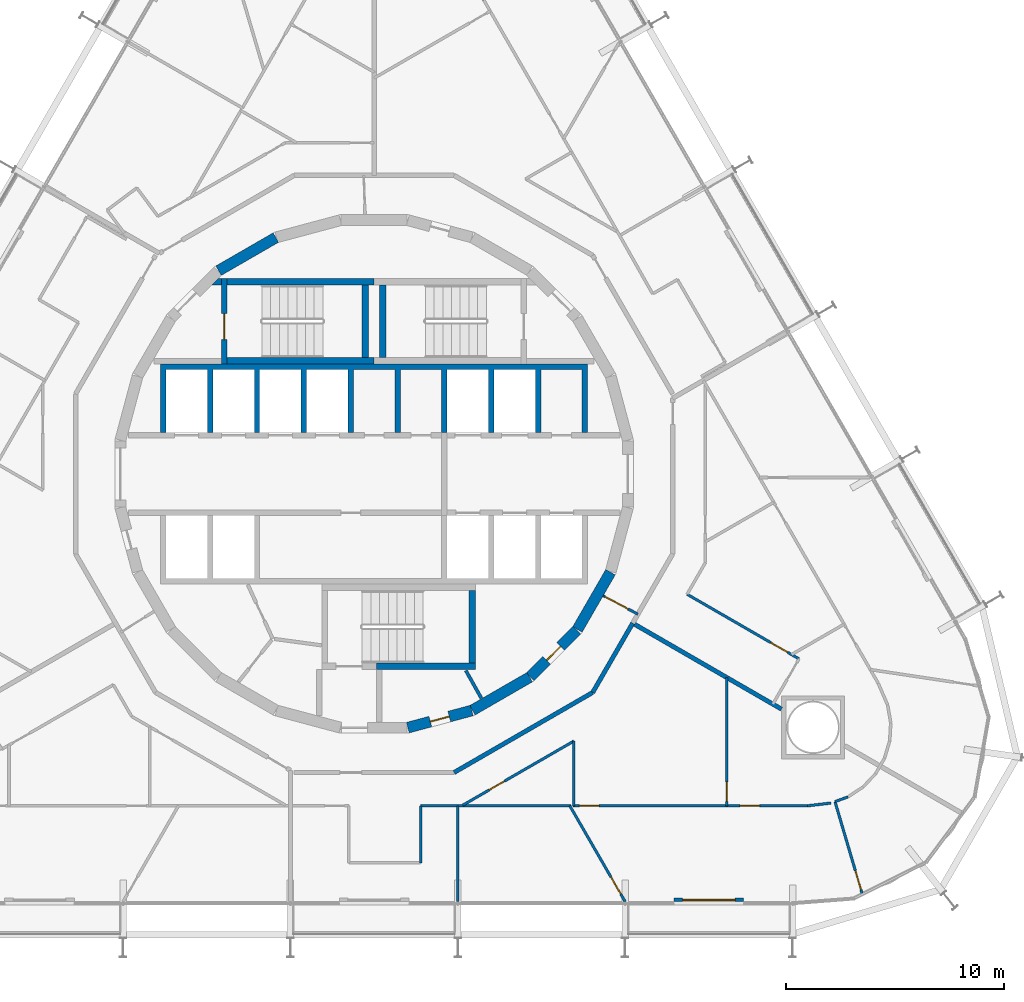
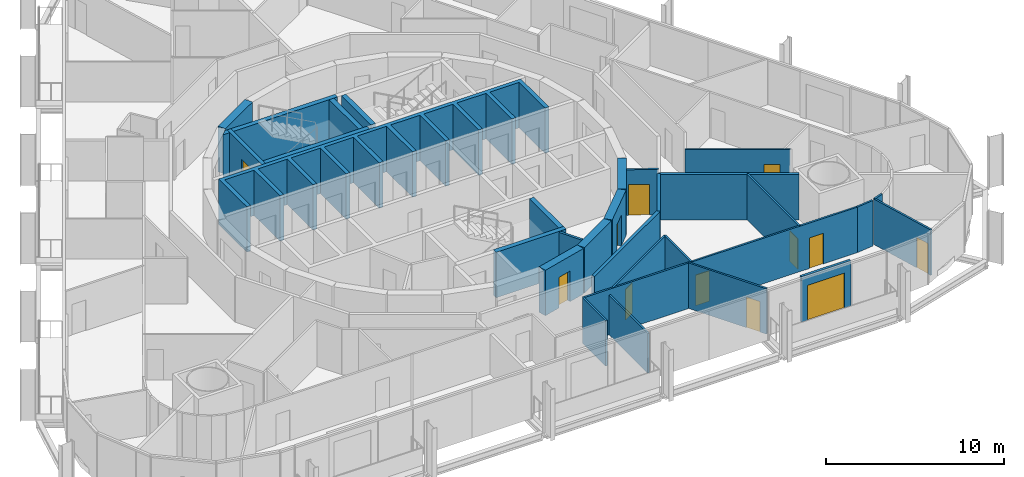
# One storey, part 15 of 20: 32 walls, 12 doors, 12 openings.
"""IFC4 building model written with IfcOpenShell, lengths in metres."""

from ifc_helpers import new_model, si_unit, direction, frame, frame_2d, origin, place, context, subcontext, project, spatial, polyline, rectangle, outline, extrude, material, layer, layer_set, type_object, element, fill, save


model = new_model("IFC4")

# Units and contexts
model_context = context("Model", 3, precision=1e-05, world=origin(), true_north=direction((0.0, 1.0)))
body_context = subcontext(model_context, "Body", "Model", "MODEL_VIEW")
ifc_project = project(units=[si_unit("LENGTHUNIT", "METRE"), si_unit("AREAUNIT", "SQUARE_METRE"), si_unit("VOLUMEUNIT", "CUBIC_METRE"), si_unit("PLANEANGLEUNIT", "RADIAN"), si_unit("MASSUNIT", "GRAM", prefix="KILO")], contexts=[model_context])

# Site, building, storey
site_placement = place(None, origin())
site = spatial("IfcSite", under=ifc_project, at=site_placement, CompositionType="ELEMENT")
building_placement = place(site_placement, origin())
building = spatial("IfcBuilding", under=site, at=building_placement, Name="Spindle Arch Residences", CompositionType="ELEMENT")
storey_placement = place(building_placement, frame((0.0, 0.0, 41.89990234375)))
storey = spatial("IfcBuildingStorey", under=building, at=storey_placement, Name="L08", CompositionType="ELEMENT", Elevation=41.89990234375)

# Wall, opening, door
ifc_material_1 = material(Name="Concrete C50/60", Category="concrete")
ifc_layer_1 = layer(ifc_material_1, 0.5)
ifc_layer_set_1 = layer_set([ifc_layer_1], Name="Core outline wall 500")
wall_type_1 = type_object("IfcWallType", Name="Core outline wall 500", PredefinedType="SHEAR", material=ifc_layer_set_1)
wall_1_placement = place(storey_placement, frame((1.5498046875, -11.642822265625, 0.0), z_axis=(0.0, 0.0, 1.0), x_axis=(0.965948410781, 0.258734743916, 0.0)))
wall_1 = element("IfcWall", 1, at=wall_1_placement, inside=storey, type_object=wall_type_1, Name="Core outline wall 1", PredefinedType="SHEAR", context=body_context, shape_type="SweptSolid", body=[
    extrude(rectangle(XDim=3.03271484375, YDim=0.5, at=frame_2d((1.516357421875, 0.0))), origin(), (0.0, 0.0, 1.0), 3.1201171875),
])
opening_1_placement = place(wall_1_placement, frame((1.06640625, 0.0, 0.0)))
opening_1 = element("IfcOpeningElement", 2, at=opening_1_placement, cuts=wall_1, Name="Opening R1A1-WD08", PredefinedType="OPENING", context=body_context, shape_type="SweptSolid", body=[
    extrude(rectangle(XDim=0.89990234375, YDim=2.10009765625, at=frame_2d((0.449951171875, 1.050048828125))), frame((0.0, 0.260009765625, 0.0), z_axis=(0.0, -1.0, 0.0), x_axis=(1.0, 0.0, 0.0)), (0.0, 0.0, 1.0), 0.52001953125),
])
ifc_material_2 = material(Name="Steel, fire-resisting door", Category="steel")
door_type_1 = type_object("IfcDoorType", Name="Service room door 900x2100", OperationType="SINGLE_SWING_LEFT", PredefinedType="DOOR", material=ifc_material_2)
door_1_placement = place(opening_1_placement, origin())
door_1 = element("IfcDoor", 3, at=door_1_placement, inside=storey, type_object=door_type_1, Name="Service room door R1A1-WD08", OperationType="SINGLE_SWING_LEFT", OverallHeight=2.10009765625, OverallWidth=0.89990234375, PredefinedType="DOOR", context=body_context, shape_type="SweptSolid", body=[
    extrude(rectangle(XDim=0.89990234375, YDim=2.10009765625, at=frame_2d((0.449951171875, 1.050048828125))), frame((0.0, 0.02490234375, 0.0), z_axis=(0.0, -1.0, 0.0), x_axis=(1.0, 0.0, 0.0)), (0.0, 0.0, 1.0), 0.050048828125),
])
fill(opening_1, door_1)

# Wall
wall_2_placement = place(storey_placement, frame((4.510498046875, -10.84521484375, 0.0), z_axis=(0.0, 0.0, 1.0), x_axis=(0.865975092491, 0.500087131594, 0.0)))
element("IfcWall", 4, at=wall_2_placement, inside=storey, type_object=wall_type_1, Name="Core outline wall 2", PredefinedType="SHEAR", context=body_context, shape_type="SweptSolid", body=[
    extrude(rectangle(XDim=3.03271484375, YDim=0.5, at=frame_2d((1.516357421875, 0.0))), origin(), (0.0, 0.0, 1.0), 3.1201171875),
])

# Wall, opening, door
wall_3_placement = place(storey_placement, frame((7.163818359375, -9.30810546875, 0.0), z_axis=(0.0, 0.0, 1.0), x_axis=(0.707106781187, 0.707106781187, 0.0)))
wall_3 = element("IfcWall", 5, at=wall_3_placement, inside=storey, type_object=wall_type_1, Name="Core outline wall 3", PredefinedType="SHEAR", context=body_context, shape_type="SweptSolid", body=[
    extrude(rectangle(XDim=3.032470703125, YDim=0.5, at=frame_2d((1.51611328125, 0.0))), origin(), (0.0, 0.0, 1.0), 3.1201171875),
])
opening_2_placement = place(wall_3_placement, frame((1.06640625, 0.0, 0.0)))
opening_2 = element("IfcOpeningElement", 6, at=opening_2_placement, cuts=wall_3, Name="Opening R1A1-WD07", PredefinedType="OPENING", context=body_context, shape_type="SweptSolid", body=[
    extrude(rectangle(XDim=0.89990234375, YDim=2.10009765625, at=frame_2d((0.449951171875, 1.050048828125))), frame((0.0, 0.260009765625, 0.0), z_axis=(0.0, -1.0, 0.0), x_axis=(1.0, 0.0, 0.0)), (0.0, 0.0, 1.0), 0.52001953125),
])
door_2_placement = place(opening_2_placement, origin())
door_2 = element("IfcDoor", 7, at=door_2_placement, inside=storey, type_object=door_type_1, Name="Service room door R1A1-WD07", OperationType="SINGLE_SWING_RIGHT", OverallHeight=2.10009765625, OverallWidth=0.89990234375, PredefinedType="DOOR", context=body_context, shape_type="SweptSolid", body=[
    extrude(rectangle(XDim=0.89990234375, YDim=2.10009765625, at=frame_2d((0.449951171875, 1.050048828125))), frame((0.0, 0.02490234375, 0.0), z_axis=(0.0, -1.0, 0.0), x_axis=(1.0, 0.0, 0.0)), (0.0, 0.0, 1.0), 0.050048828125),
])
fill(opening_2, door_2)

# Walls
for number, where, z_axis, x_axis, name in (
    (8, (9.32861328125, -7.13671875, 0.0), (0.0, 0.0, 1.0), (0.500087131594, 0.865975092491, 0.0), "Core outline wall 4"),
    (9, (-4.510498046875, 10.84521484375, 0.0), (0.0, 0.0, 1.0), (-0.865975092491, -0.500087131594, 0.0), "Core outline wall 14"),
):
    element("IfcWall", number, at=place(storey_placement, frame(where, z_axis=z_axis, x_axis=x_axis)), inside=storey, type_object=wall_type_1, Name=name, PredefinedType="SHEAR", context=body_context, shape_type="SweptSolid", body=[
        extrude(rectangle(XDim=3.03271484375, YDim=0.5, at=frame_2d((1.516357421875, 0.0))), origin(), (0.0, 0.0, 1.0), 3.1201171875),
    ])

# Wall, opening, door
ifc_material_3 = material(Name="Plasterboard on steel studs", Category="steel")
ifc_layer_2 = layer(ifc_material_3, 0.1201171875)
ifc_layer_set_2 = layer_set([ifc_layer_2], Name="Corridor division wall 120")
wall_type_2 = type_object("IfcWallType", Name="Corridor division wall 120", PredefinedType="PARTITIONING", material=ifc_layer_set_2)
wall_4_placement = place(storey_placement, frame((10.510986328125, -5.5888671875, 0.0), z_axis=(0.0, 0.0, 1.0), x_axis=(0.88294043061, -0.469485032769, 0.0)))
wall_4 = element("IfcWall", 10, at=wall_4_placement, inside=storey, type_object=wall_type_2, Name="Corridor division wall R1A1-W002", PredefinedType="PARTITIONING", context=body_context, shape_type="SweptSolid", body=[
    extrude(rectangle(XDim=1.803955078125, YDim=0.1201171875, at=frame_2d((0.90185546875, 0.0))), origin(), (0.0, 0.0, 1.0), 3.1201171875),
])
opening_3_placement = place(wall_4_placement, frame((0.10009765625, 0.0, 0.0)))
opening_3 = element("IfcOpeningElement", 11, at=opening_3_placement, cuts=wall_4, Name="Opening R1A1-CD02", PredefinedType="OPENING", context=body_context, shape_type="SweptSolid", body=[
    extrude(rectangle(XDim=1.199951171875, YDim=2.10009765625, at=frame_2d((0.60009765625, 1.050048828125))), frame((0.0, 0.070068359375, 0.0), z_axis=(0.0, -1.0, 0.0), x_axis=(1.0, 0.0, 0.0)), (0.0, 0.0, 1.0), 0.14013671875),
])
ifc_material_4 = material(Name="Steel, fire-resisting door", Category="steel")
door_type_2 = type_object("IfcDoorType", Name="Corridor division door 1200x2100", OperationType="NOTDEFINED", PredefinedType="DOOR", material=ifc_material_4)
door_3_placement = place(opening_3_placement, origin())
door_3 = element("IfcDoor", 12, at=door_3_placement, inside=storey, type_object=door_type_2, Name="Corridor division door R1A1-CD02", OperationType="DOUBLE_DOOR_SINGLE_SWING", OverallHeight=2.10009765625, OverallWidth=1.199951171875, PredefinedType="DOOR", context=body_context, shape_type="SweptSolid", body=[
    extrude(rectangle(XDim=1.199951171875, YDim=2.10009765625, at=frame_2d((0.60009765625, 1.050048828125))), frame((0.0, 0.02490234375, 0.0), z_axis=(0.0, -1.0, 0.0), x_axis=(1.0, 0.0, 0.0)), (0.0, 0.0, 1.0), 0.050048828125),
])
fill(opening_3, door_3)

# Walls
ifc_material_5 = material(Name="Calcium silicate block, plastered")
ifc_layer_3 = layer(ifc_material_5, 0.199951171875)
ifc_layer_set_3 = layer_set([ifc_layer_3], Name="Corridor wall 200")
wall_type_3 = type_object("IfcWallType", Name="Corridor wall 200", PredefinedType="STANDARD", material=ifc_layer_set_3)
wall_5_placement = place(storey_placement, frame((3.6708984375, -13.699951171875, 0.0), z_axis=(0.0, 0.0, 1.0), x_axis=(0.866024439905, 0.500001669485, 0.0)))
element("IfcWall", 13, at=wall_5_placement, inside=storey, type_object=wall_type_3, Name="Corridor wall R1A1-W015", PredefinedType="STANDARD", context=body_context, shape_type="SweptSolid", body=[
    extrude(rectangle(XDim=7.341796875, YDim=0.199951171875, at=frame_2d((3.6708984375, 0.0))), origin(), (0.0, 0.0, 1.0), 3.1201171875),
])
wall_6_placement = place(storey_placement, frame((10.029052734375, -10.029052734375, 0.0), z_axis=(0.0, 0.0, 1.0), x_axis=(0.50001606911, 0.866016126081, 0.0)))
element("IfcWall", 14, at=wall_6_placement, inside=storey, type_object=wall_type_3, Name="Corridor wall R1A1-W016", PredefinedType="STANDARD", context=body_context, shape_type="SweptSolid", body=[
    extrude(rectangle(XDim=3.6708984375, YDim=0.199951171875, at=frame_2d((1.83544921875, 0.0))), origin(), (0.0, 0.0, 1.0), 3.1201171875),
])
ifc_material_6 = material(Name="Plasterboard on steel studs", Category="steel")
ifc_layer_4 = layer(ifc_material_6, 0.1201171875)
ifc_layer_set_4 = layer_set([ifc_layer_4], Name="Flat partition 120")
wall_type_4 = type_object("IfcWallType", Name="Flat partition 120", PredefinedType="PARTITIONING", material=ifc_layer_set_4)
wall_7_placement = place(storey_placement, frame((2.138671875, -17.844970703125, 0.0), z_axis=(0.0, 0.0, 1.0), x_axis=(0.0, 1.0, 0.0)))
element("IfcWall", 15, at=wall_7_placement, inside=storey, type_object=wall_type_4, Name="Flat partition R1A1-W087", PredefinedType="PARTITIONING", context=body_context, shape_type="SweptSolid", body=[
    extrude(rectangle(XDim=2.614990234375, YDim=0.1201171875, at=frame_2d((1.3076171875, 0.0))), origin(), (0.0, 0.0, 1.0), 3.1201171875),
])
wall_8_placement = place(storey_placement, frame((2.138671875, -15.22998046875, 0.0), z_axis=(0.0, 0.0, 1.0), x_axis=(1.0, 0.0, 0.0)))
element("IfcWall", 16, at=wall_8_placement, inside=storey, type_object=wall_type_4, Name="Flat partition R1A1-W088", PredefinedType="PARTITIONING", context=body_context, shape_type="SweptSolid", body=[
    extrude(rectangle(XDim=6.88720703125, YDim=0.1201171875, at=frame_2d((3.443603515625, 0.0))), origin(), (0.0, 0.0, 1.0), 3.1201171875),
])

# Wall, opening, door
wall_9_placement = place(storey_placement, frame((4.07275390625, -15.199951171875, 0.0), z_axis=(0.0, 0.0, 1.0), x_axis=(0.866034128446, 0.499984888139, 0.0)))
wall_9 = element("IfcWall", 17, at=wall_9_placement, inside=storey, type_object=wall_type_4, Name="Flat partition R1A1-W089", PredefinedType="PARTITIONING", context=body_context, shape_type="SweptSolid", body=[
    extrude(rectangle(XDim=5.878662109375, YDim=0.1201171875, at=frame_2d((2.939453125, 0.0))), origin(), (0.0, 0.0, 1.0), 3.1201171875),
])
opening_4_placement = place(wall_9_placement, frame((1.39990234375, 0.0, 0.0)))
opening_4 = element("IfcOpeningElement", 18, at=opening_4_placement, cuts=wall_9, Name="Opening R1A1-BD06", PredefinedType="OPENING", context=body_context, shape_type="SweptSolid", body=[
    extrude(rectangle(XDim=0.800048828125, YDim=2.10009765625, at=frame_2d((0.39990234375, 1.050048828125))), frame((0.0, 0.070068359375, 0.0), z_axis=(0.0, -1.0, 0.0), x_axis=(1.0, 0.0, 0.0)), (0.0, 0.0, 1.0), 0.14013671875),
])
ifc_material_7 = material(Name="Timber door set", Category="wood")
door_type_3 = type_object("IfcDoorType", Name="Bathroom door 800x2100", OperationType="NOTDEFINED", PredefinedType="DOOR", material=ifc_material_7)
door_4_placement = place(opening_4_placement, origin())
door_4 = element("IfcDoor", 19, at=door_4_placement, inside=storey, type_object=door_type_3, Name="Bathroom door R1A1-BD06", OperationType="SINGLE_SWING_RIGHT", OverallHeight=2.10009765625, OverallWidth=0.800048828125, PredefinedType="DOOR", context=body_context, shape_type="SweptSolid", body=[
    extrude(rectangle(XDim=0.800048828125, YDim=2.10009765625, at=frame_2d((0.39990234375, 1.050048828125))), frame((0.0, 0.02490234375, 0.0), z_axis=(0.0, -1.0, 0.0), x_axis=(1.0, 0.0, 0.0)), (0.0, 0.0, 1.0), 0.050048828125),
])
fill(opening_4, door_4)

# Wall
wall_10_placement = place(storey_placement, frame((9.163818359375, -12.2607421875, 0.0), z_axis=(0.0, 0.0, 1.0), x_axis=(0.0, -1.0, 0.0)))
element("IfcWall", 20, at=wall_10_placement, inside=storey, type_object=wall_type_4, Name="Flat partition R1A1-W090", PredefinedType="PARTITIONING", context=body_context, shape_type="SweptSolid", body=[
    extrude(rectangle(XDim=2.96923828125, YDim=0.1201171875, at=frame_2d((1.484619140625, 0.0))), origin(), (0.0, 0.0, 1.0), 3.1201171875),
])

# Wall, openings, doors
wall_11_placement = place(storey_placement, frame((9.123779296875, -15.22998046875, 0.0), z_axis=(0.0, 0.0, 1.0), x_axis=(1.0, 0.0, 0.0)))
wall_11 = element("IfcWall", 21, at=wall_11_placement, inside=storey, type_object=wall_type_4, Name="Flat partition R1A1-W091", PredefinedType="PARTITIONING", context=body_context, shape_type="SweptSolid", body=[
    extrude(rectangle(XDim=10.763671875, YDim=0.1201171875, at=frame_2d((5.3818359375, 0.0))), origin(), (0.0, 0.0, 1.0), 3.1201171875),
])
opening_5_placement = place(wall_11_placement, frame((0.300048828125, 0.0, 0.0)))
opening_5 = element("IfcOpeningElement", 22, at=opening_5_placement, cuts=wall_11, Name="Opening R1A1-ID25", PredefinedType="OPENING", context=body_context, shape_type="SweptSolid", body=[
    extrude(rectangle(XDim=0.89990234375, YDim=2.10009765625, at=frame_2d((0.449951171875, 1.050048828125))), frame((0.0, 0.070068359375, 0.0), z_axis=(0.0, -1.0, 0.0), x_axis=(1.0, 0.0, 0.0)), (0.0, 0.0, 1.0), 0.14013671875),
])
opening_6_placement = place(wall_11_placement, frame((7.665283203125, 0.0, 0.0)))
opening_6 = element("IfcOpeningElement", 23, at=opening_6_placement, cuts=wall_11, Name="Opening R1A1-ID29", PredefinedType="OPENING", context=body_context, shape_type="SweptSolid", body=[
    extrude(rectangle(XDim=0.89990234375, YDim=2.10009765625, at=frame_2d((0.449951171875, 1.050048828125))), frame((0.0, 0.070068359375, 0.0), z_axis=(0.0, -1.0, 0.0), x_axis=(1.0, 0.0, 0.0)), (0.0, 0.0, 1.0), 0.14013671875),
])
ifc_material_8 = material(Name="Timber door set", Category="wood")
door_type_4 = type_object("IfcDoorType", Name="Room door 900x2100", OperationType="NOTDEFINED", PredefinedType="DOOR", material=ifc_material_8)
door_5_placement = place(opening_5_placement, origin())
door_5 = element("IfcDoor", 24, at=door_5_placement, inside=storey, type_object=door_type_4, Name="Room door R1A1-ID25", OperationType="SINGLE_SWING_RIGHT", OverallHeight=2.10009765625, OverallWidth=0.89990234375, PredefinedType="DOOR", context=body_context, shape_type="SweptSolid", body=[
    extrude(rectangle(XDim=0.89990234375, YDim=2.10009765625, at=frame_2d((0.449951171875, 1.050048828125))), frame((0.0, 0.02490234375, 0.0), z_axis=(0.0, -1.0, 0.0), x_axis=(1.0, 0.0, 0.0)), (0.0, 0.0, 1.0), 0.050048828125),
])
fill(opening_5, door_5)
door_6_placement = place(opening_6_placement, origin())
door_6 = element("IfcDoor", 25, at=door_6_placement, inside=storey, type_object=door_type_4, Name="Room door R1A1-ID29", OperationType="SINGLE_SWING_LEFT", OverallHeight=2.10009765625, OverallWidth=0.89990234375, PredefinedType="DOOR", context=body_context, shape_type="SweptSolid", body=[
    extrude(rectangle(XDim=0.89990234375, YDim=2.10009765625, at=frame_2d((0.449951171875, 1.050048828125))), frame((0.0, 0.02490234375, 0.0), z_axis=(0.0, -1.0, 0.0), x_axis=(1.0, 0.0, 0.0)), (0.0, 0.0, 1.0), 0.050048828125),
])
fill(opening_6, door_6)

# Wall, opening, door
wall_12_placement = place(storey_placement, frame((16.189208984375, -15.22998046875, 0.0), z_axis=(0.0, 0.0, 1.0), x_axis=(0.0, 1.0, 0.0)))
wall_12 = element("IfcWall", 26, at=wall_12_placement, inside=storey, type_object=wall_type_4, Name="Flat partition R1A1-W092", PredefinedType="PARTITIONING", context=body_context, shape_type="SweptSolid", body=[
    extrude(rectangle(XDim=5.88330078125, YDim=0.1201171875, at=frame_2d((2.941650390625, 0.0))), origin(), (0.0, 0.0, 1.0), 3.1201171875),
])
opening_7_placement = place(wall_12_placement, frame((0.199951171875, 0.0, 0.0)))
opening_7 = element("IfcOpeningElement", 27, at=opening_7_placement, cuts=wall_12, Name="Opening R1A1-ID26", PredefinedType="OPENING", context=body_context, shape_type="SweptSolid", body=[
    extrude(rectangle(XDim=0.89990234375, YDim=2.10009765625, at=frame_2d((0.449951171875, 1.050048828125))), frame((0.0, 0.070068359375, 0.0), z_axis=(0.0, -1.0, 0.0), x_axis=(1.0, 0.0, 0.0)), (0.0, 0.0, 1.0), 0.14013671875),
])
door_7_placement = place(opening_7_placement, origin())
door_7 = element("IfcDoor", 28, at=door_7_placement, inside=storey, type_object=door_type_4, Name="Room door R1A1-ID26", OperationType="SINGLE_SWING_RIGHT", OverallHeight=2.10009765625, OverallWidth=0.89990234375, PredefinedType="DOOR", context=body_context, shape_type="SweptSolid", body=[
    extrude(rectangle(XDim=0.89990234375, YDim=2.10009765625, at=frame_2d((0.449951171875, 1.050048828125))), frame((0.0, 0.02490234375, 0.0), z_axis=(0.0, -1.0, 0.0), x_axis=(1.0, 0.0, 0.0)), (0.0, 0.0, 1.0), 0.050048828125),
])
fill(opening_7, door_7)

wall_13_placement = place(storey_placement, frame((11.52001953125, -19.6298828125, 0.0), z_axis=(0.0, 0.0, 1.0), x_axis=(-0.499999763888, 0.866025540104, 0.0)))
wall_13 = element("IfcWall", 29, at=wall_13_placement, inside=storey, type_object=wall_type_4, Name="Flat partition R1A1-W094", PredefinedType="PARTITIONING", context=body_context, shape_type="SweptSolid", body=[
    extrude(rectangle(XDim=5.08056640625, YDim=0.1201171875, at=frame_2d((2.540283203125, 0.0))), origin(), (0.0, 0.0, 1.0), 3.1201171875),
])
opening_8_placement = place(wall_13_placement, frame((0.39990234375, 0.0, 0.0)))
opening_8 = element("IfcOpeningElement", 30, at=opening_8_placement, cuts=wall_13, Name="Opening R1A1-ID27", PredefinedType="OPENING", context=body_context, shape_type="SweptSolid", body=[
    extrude(rectangle(XDim=0.89990234375, YDim=2.10009765625, at=frame_2d((0.449951171875, 1.050048828125))), frame((0.0, 0.070068359375, 0.0), z_axis=(0.0, -1.0, 0.0), x_axis=(1.0, 0.0, 0.0)), (0.0, 0.0, 1.0), 0.14013671875),
])
door_8_placement = place(opening_8_placement, origin())
door_8 = element("IfcDoor", 31, at=door_8_placement, inside=storey, type_object=door_type_4, Name="Room door R1A1-ID27", OperationType="SINGLE_SWING_LEFT", OverallHeight=2.10009765625, OverallWidth=0.89990234375, PredefinedType="DOOR", context=body_context, shape_type="SweptSolid", body=[
    extrude(rectangle(XDim=0.89990234375, YDim=2.10009765625, at=frame_2d((0.449951171875, 1.050048828125))), frame((0.0, 0.02490234375, 0.0), z_axis=(0.0, -1.0, 0.0), x_axis=(1.0, 0.0, 0.0)), (0.0, 0.0, 1.0), 0.050048828125),
])
fill(opening_8, door_8)

# Wall
wall_14_placement = place(storey_placement, frame((20.966796875, -15.103759765625, 0.0), z_axis=(0.0, 0.0, 1.0), x_axis=(-0.993231641151, -0.116150363826, 0.0)))
element("IfcWall", 32, at=wall_14_placement, inside=storey, type_object=wall_type_4, Name="Flat partition R1A1-W095", PredefinedType="PARTITIONING", context=body_context, shape_type="SweptSolid", body=[
    extrude(rectangle(XDim=1.086669921875, YDim=0.1201171875, at=frame_2d((0.54345703125, 0.0))), origin(), (0.0, 0.0, 1.0), 3.1201171875),
])

# Wall, opening, door
wall_15_placement = place(storey_placement, frame((22.395751953125, -19.26611328125, 0.0), z_axis=(0.0, 0.0, 1.0), x_axis=(-0.282873823334, 0.959157130022, 0.0)))
wall_15 = element("IfcWall", 33, at=wall_15_placement, inside=storey, type_object=wall_type_4, Name="Flat partition R1A1-W096", PredefinedType="PARTITIONING", context=body_context, shape_type="SweptSolid", body=[
    extrude(rectangle(XDim=4.40869140625, YDim=0.1201171875, at=frame_2d((2.204345703125, 0.0))), origin(), (0.0, 0.0, 1.0), 3.1201171875),
])
opening_9_placement = place(wall_15_placement, frame((0.199951171875, 0.0, 0.0)))
opening_9 = element("IfcOpeningElement", 34, at=opening_9_placement, cuts=wall_15, Name="Opening R1A1-ID28", PredefinedType="OPENING", context=body_context, shape_type="SweptSolid", body=[
    extrude(rectangle(XDim=0.89990234375, YDim=2.10009765625, at=frame_2d((0.449951171875, 1.050048828125))), frame((0.0, 0.070068359375, 0.0), z_axis=(0.0, -1.0, 0.0), x_axis=(1.0, 0.0, 0.0)), (0.0, 0.0, 1.0), 0.14013671875),
])
door_9_placement = place(opening_9_placement, origin())
door_9 = element("IfcDoor", 35, at=door_9_placement, inside=storey, type_object=door_type_4, Name="Room door R1A1-ID28", OperationType="SINGLE_SWING_RIGHT", OverallHeight=2.10009765625, OverallWidth=0.89990234375, PredefinedType="DOOR", context=body_context, shape_type="SweptSolid", body=[
    extrude(rectangle(XDim=0.89990234375, YDim=2.10009765625, at=frame_2d((0.449951171875, 1.050048828125))), frame((0.0, 0.02490234375, 0.0), z_axis=(0.0, -1.0, 0.0), x_axis=(1.0, 0.0, 0.0)), (0.0, 0.0, 1.0), 0.050048828125),
])
fill(opening_9, door_9)

# Wall
wall_16_placement = place(storey_placement, frame((21.148681640625, -15.03759765625, 0.0), z_axis=(0.0, 0.0, 1.0), x_axis=(0.939726102094, 0.341928140173, 0.0)))
element("IfcWall", 36, at=wall_16_placement, inside=storey, type_object=wall_type_4, Name="Flat partition R1A1-W097", PredefinedType="PARTITIONING", context=body_context, shape_type="SweptSolid", body=[
    extrude(rectangle(XDim=0.635498046875, YDim=0.1201171875, at=frame_2d((0.31787109375, 0.0))), origin(), (0.0, 0.0, 1.0), 3.1201171875),
])

# Wall, opening, door
wall_17_placement = place(storey_placement, frame((19.49658203125, -8.4873046875, 0.0), z_axis=(0.0, 0.0, 1.0), x_axis=(-0.866027165828, 0.499996948039, 0.0)))
wall_17 = element("IfcWall", 37, at=wall_17_placement, inside=storey, type_object=wall_type_4, Name="Flat partition R1A1-W102", PredefinedType="PARTITIONING", context=body_context, shape_type="SweptSolid", body=[
    extrude(rectangle(XDim=5.92822265625, YDim=0.1201171875, at=frame_2d((2.964111328125, 0.0))), origin(), (0.0, 0.0, 1.0), 3.1201171875),
])
opening_10_placement = place(wall_17_placement, frame((0.59521484375, 0.0, 0.0)))
opening_10 = element("IfcOpeningElement", 38, at=opening_10_placement, cuts=wall_17, Name="Opening R1A1-ID31", PredefinedType="OPENING", context=body_context, shape_type="SweptSolid", body=[
    extrude(rectangle(XDim=0.89990234375, YDim=2.10009765625, at=frame_2d((0.449951171875, 1.050048828125))), frame((0.0, 0.070068359375, 0.0), z_axis=(0.0, -1.0, 0.0), x_axis=(1.0, 0.0, 0.0)), (0.0, 0.0, 1.0), 0.14013671875),
])
door_10_placement = place(opening_10_placement, origin())
door_10 = element("IfcDoor", 39, at=door_10_placement, inside=storey, type_object=door_type_4, Name="Room door R1A1-ID31", OperationType="SINGLE_SWING_LEFT", OverallHeight=2.10009765625, OverallWidth=0.89990234375, PredefinedType="DOOR", context=body_context, shape_type="SweptSolid", body=[
    extrude(rectangle(XDim=0.89990234375, YDim=2.10009765625, at=frame_2d((0.449951171875, 1.050048828125))), frame((0.0, 0.02490234375, 0.0), z_axis=(0.0, -1.0, 0.0), x_axis=(1.0, 0.0, 0.0)), (0.0, 0.0, 1.0), 0.050048828125),
])
fill(opening_10, door_10)

# Walls
ifc_material_9 = material(Name="Plasterboard on steel studs", Category="steel")
ifc_layer_5 = layer(ifc_material_9, 0.1201171875)
ifc_layer_set_5 = layer_set([ifc_layer_5], Name="Flat partition 120 under beam 2730")
wall_type_5 = type_object("IfcWallType", Name="Flat partition 120 under beam 2730", PredefinedType="PARTITIONING", material=ifc_layer_set_5)
wall_18_placement = place(storey_placement, frame((3.840087890625, -19.6298828125, 0.0), z_axis=(0.0, 0.0, 1.0), x_axis=(0.0, 1.0, 0.0)))
element("IfcWall", 40, at=wall_18_placement, inside=storey, type_object=wall_type_5, Name="Flat partition R1A1-W093", PredefinedType="PARTITIONING", context=body_context, shape_type="SweptSolid", body=[
    extrude(rectangle(XDim=4.39990234375, YDim=0.1201171875, at=frame_2d((2.199951171875, 0.0))), origin(), (0.0, 0.0, 1.0), 2.72998046875),
])
ifc_material_10 = material(Name="Calcium silicate block, plastered")
ifc_layer_6 = layer(ifc_material_10, 0.199951171875)
ifc_layer_set_6 = layer_set([ifc_layer_6], Name="Flat party wall 200")
wall_type_6 = type_object("IfcWallType", Name="Flat party wall 200", PredefinedType="STANDARD", material=ifc_layer_set_6)
wall_19_placement = place(storey_placement, frame((18.693603515625, -10.792724609375, 0.0), z_axis=(0.0, 0.0, 1.0), x_axis=(-0.865964895271, 0.500104789178, 0.0)))
element("IfcWall", 41, at=wall_19_placement, inside=storey, type_object=wall_type_6, Name="Flat party wall R1A1-W025", PredefinedType="STANDARD", context=body_context, shape_type="SweptSolid", body=[
    extrude(rectangle(XDim=7.885498046875, YDim=0.199951171875, at=frame_2d((3.94287109375, 0.0))), origin(), (0.0, 0.0, 1.0), 3.1201171875),
])

# Wall, opening, door
ifc_material_11 = material(Name="Non-combustible mineral wool insulated aluminium faced external wall (K0)", Category="aluminium")
ifc_layer_7 = layer(ifc_material_11, 0.159912109375)
ifc_layer_set_7 = layer_set([ifc_layer_7], Name="Insulated external wall panel 160")
wall_type_7 = type_object("IfcWallType", Name="Insulated external wall panel 160", PredefinedType="STANDARD", material=ifc_layer_set_7)
wall_20_placement = place(storey_placement, frame((13.76025390625, -19.5498046875, 0.0), z_axis=(0.0, 0.0, 1.0), x_axis=(1.0, 0.0, 0.0)))
wall_20 = element("IfcWall", 42, at=wall_20_placement, inside=storey, type_object=wall_type_7, Name="External wall L08 bay 2", PredefinedType="STANDARD", context=body_context, shape_type="SweptSolid", body=[
    extrude(rectangle(XDim=3.199951171875, YDim=0.159912109375, at=frame_2d((1.60009765625, 0.0))), origin(), (0.0, 0.0, 1.0), 3.1201171875),
])
opening_11_placement = place(wall_20_placement, frame((0.39990234375, 0.0, 0.0)))
opening_11 = element("IfcOpeningElement", 43, at=opening_11_placement, cuts=wall_20, Name="Opening BD02", PredefinedType="OPENING", context=body_context, shape_type="SweptSolid", body=[
    extrude(rectangle(XDim=2.39990234375, YDim=2.39990234375, at=frame_2d((1.199951171875, 1.199951171875))), frame((0.0, 0.08984375, 0.0), z_axis=(0.0, -1.0, 0.0), x_axis=(1.0, 0.0, 0.0)), (0.0, 0.0, 1.0), 0.179931640625),
])
ifc_material_12 = material(Name="Bronze aluminium frame, tinted double glazing", Category="aluminium")
door_type_5 = type_object("IfcDoorType", Name="Sliding glazed balcony door 2400x2400", OperationType="DOUBLE_DOOR_SLIDING", PredefinedType="DOOR", material=ifc_material_12)
door_11_placement = place(opening_11_placement, origin())
door_11 = element("IfcDoor", 44, at=door_11_placement, inside=storey, type_object=door_type_5, Name="Balcony door BD02", OperationType="DOUBLE_DOOR_SLIDING", OverallHeight=2.39990234375, OverallWidth=2.39990234375, PredefinedType="DOOR", context=body_context, shape_type="SweptSolid", body=[
    extrude(rectangle(XDim=2.39990234375, YDim=2.39990234375, at=frame_2d((1.199951171875, 1.199951171875))), frame((0.0, 0.02490234375, 0.0), z_axis=(0.0, -1.0, 0.0), x_axis=(1.0, 0.0, 0.0)), (0.0, 0.0, 1.0), 0.050048828125),
])
fill(opening_11, door_11)

# Walls
ifc_material_13 = material(Name="Concrete C50/60", Category="concrete")
wall_type_8 = type_object("IfcWallType", Name="Lift shaft wall profile", PredefinedType="SHEAR", material=ifc_material_13)
wall_21_placement = place(storey_placement, origin())
element("IfcWall", 45, at=wall_21_placement, inside=storey, type_object=wall_type_8, Name="Lift shaft walls N", PredefinedType="SHEAR", context=body_context, shape_type="SweptSolid", body=[
    extrude(outline(polyline([(-9.550048828125, 4.800048828125), (-7.64990234375, 4.800048828125), (-7.64990234375, 1.89990234375), (-7.39990234375, 1.89990234375), (-7.39990234375, 4.800048828125), (-5.5, 4.800048828125), (-5.5, 1.89990234375), (-5.25, 1.89990234375), (-5.25, 4.800048828125), (-3.35009765625, 4.800048828125), (-3.35009765625, 1.89990234375), (-3.10009765625, 1.89990234375), (-3.10009765625, 4.800048828125), (-1.199951171875, 4.800048828125), (-1.199951171875, 1.89990234375), (-0.949951171875, 1.89990234375), (-0.949951171875, 4.800048828125), (0.949951171875, 4.800048828125), (0.949951171875, 1.89990234375), (1.199951171875, 1.89990234375), (1.199951171875, 4.800048828125), (3.10009765625, 4.800048828125), (3.10009765625, 1.89990234375), (3.35009765625, 1.89990234375), (3.35009765625, 4.800048828125), (5.25, 4.800048828125), (5.25, 1.89990234375), (5.5, 1.89990234375), (5.5, 4.800048828125), (7.39990234375, 4.800048828125), (7.39990234375, 1.89990234375), (7.64990234375, 1.89990234375), (7.64990234375, 4.800048828125), (9.550048828125, 4.800048828125), (9.550048828125, 1.89990234375), (9.800048828125, 1.89990234375), (9.800048828125, 4.800048828125), (9.800048828125, 5.050048828125), (-9.800048828125, 5.050048828125), (-9.800048828125, 4.800048828125), (-9.800048828125, 1.89990234375), (-9.550048828125, 1.89990234375), (-9.550048828125, 4.800048828125)])), origin(), (0.0, 0.0, 1.0), 3.1201171875),
])
ifc_material_14 = material(Name="Concrete C25/30", Category="concrete")
ifc_layer_8 = layer(ifc_material_14, 0.14990234375)
ifc_layer_set_8 = layer_set([ifc_layer_8], Name="Service room partition 150")
wall_type_9 = type_object("IfcWallType", Name="Service room partition 150", PredefinedType="PARTITIONING", material=ifc_layer_set_8)
wall_22_placement = place(storey_placement, frame((4.922119140625, -10.295654296875, 0.0), z_axis=(0.0, 0.0, 1.0), x_axis=(-0.48860846254, 0.872503163509, 0.0)))
element("IfcWall", 46, at=wall_22_placement, inside=storey, type_object=wall_type_9, Name="Core service room partition", PredefinedType="PARTITIONING", context=body_context, shape_type="SweptSolid", body=[
    extrude(rectangle(XDim=1.45947265625, YDim=0.14990234375, at=frame_2d((0.729736328125, 0.0))), origin(), (0.0, 0.0, 1.0), 3.1201171875),
])
ifc_material_15 = material(Name="Concrete C40/50", Category="concrete")
wall_type_10 = type_object("IfcWallType", Name="Stair airlock wall profile", PredefinedType="SHEAR", material=ifc_material_15)
wall_23_placement = place(storey_placement, origin())
element("IfcWall", 47, at=wall_23_placement, inside=storey, type_object=wall_type_10, Name="Stair ST-2 airlock wall N", PredefinedType="SHEAR", context=body_context, shape_type="SweptSolid", body=[
    extrude(outline(polyline([(-7.148193359375, 8.969970703125), (-7.0, 8.969970703125), (-7.0, 8.669921875), (-7.4482421875, 8.669921875), (-7.148193359375, 8.969970703125)])), origin(), (0.0, 0.0, 1.0), 3.1201171875),
])

# Wall, opening, door
ifc_material_16 = material(Name="Concrete C50/60", Category="concrete")
ifc_layer_9 = layer(ifc_material_16, 0.25)
ifc_layer_set_9 = layer_set([ifc_layer_9], Name="Stair enclosure wall 250")
wall_type_11 = type_object("IfcWallType", Name="Stair enclosure wall 250", PredefinedType="SHEAR", material=ifc_layer_set_9)
wall_24_placement = place(storey_placement, frame((-6.875, 8.969970703125, 0.0), z_axis=(0.0, 0.0, 1.0), x_axis=(0.0, -1.0, 0.0)))
wall_24 = element("IfcWall", 48, at=wall_24_placement, inside=storey, type_object=wall_type_11, Name="Stair ST-2 door wall", PredefinedType="SHEAR", context=body_context, shape_type="SweptSolid", body=[
    extrude(rectangle(XDim=3.919921875, YDim=0.25, at=frame_2d((1.9599609375, 0.0))), origin(), (0.0, 0.0, 1.0), 3.1201171875),
])
opening_12_placement = place(wall_24_placement, frame((1.610107421875, 0.0, 0.0)))
opening_12 = element("IfcOpeningElement", 49, at=opening_12_placement, cuts=wall_24, Name="Opening R1A1-SD02", PredefinedType="OPENING", context=body_context, shape_type="SweptSolid", body=[
    extrude(rectangle(XDim=1.199951171875, YDim=2.10009765625, at=frame_2d((0.60009765625, 1.050048828125))), frame((0.0, 0.135009765625, 0.0), z_axis=(0.0, -1.0, 0.0), x_axis=(1.0, 0.0, 0.0)), (0.0, 0.0, 1.0), 0.27001953125),
])
ifc_material_17 = material(Name="Steel, fire-resisting door", Category="steel")
door_type_6 = type_object("IfcDoorType", Name="Stair door 1200x2100", OperationType="SINGLE_SWING_RIGHT", PredefinedType="DOOR", material=ifc_material_17)
door_12_placement = place(opening_12_placement, origin())
door_12 = element("IfcDoor", 50, at=door_12_placement, inside=storey, type_object=door_type_6, Name="Stair door R1A1-SD02", OperationType="SINGLE_SWING_LEFT", OverallHeight=2.10009765625, OverallWidth=1.199951171875, PredefinedType="DOOR", context=body_context, shape_type="SweptSolid", body=[
    extrude(rectangle(XDim=1.199951171875, YDim=2.10009765625, at=frame_2d((0.60009765625, 1.050048828125))), frame((0.0, 0.02490234375, 0.0), z_axis=(0.0, -1.0, 0.0), x_axis=(1.0, 0.0, 0.0)), (0.0, 0.0, 1.0), 0.050048828125),
])
fill(opening_12, door_12)

# Walls
ifc_material_18 = material(Name="Concrete C50/60", Category="concrete")
ifc_layer_10 = layer(ifc_material_18, 0.300048828125)
ifc_layer_set_10 = layer_set([ifc_layer_10], Name="Stair enclosure wall 300")
wall_type_12 = type_object("IfcWallType", Name="Stair enclosure wall 300", PredefinedType="SHEAR", material=ifc_layer_set_10)
wall_25_placement = place(storey_placement, frame((0.39990234375, 5.35009765625, 0.0), z_axis=(0.0, 0.0, 1.0), x_axis=(0.0, 1.0, 0.0)))
element("IfcWall", 51, at=wall_25_placement, inside=storey, type_object=wall_type_12, Name="Stair ST-1 enclosure wall F", PredefinedType="SHEAR", context=body_context, shape_type="SweptSolid", body=[
    extrude(rectangle(XDim=3.31982421875, YDim=0.300048828125, at=frame_2d((1.659912109375, 0.0))), origin(), (0.0, 0.0, 1.0), 3.1201171875),
])
for number, where, z_axis, x_axis, name in (
    (52, (-6.75, 5.199951171875, 0.0), (0.0, 0.0, 1.0), (1.0, 0.0, 0.0), "Stair ST-2 enclosure wall S"),
    (53, (-6.75, 8.820068359375, 0.0), (0.0, 0.0, 1.0), (1.0, 0.0, 0.0), "Stair ST-2 enclosure wall N"),
):
    element("IfcWall", number, at=place(storey_placement, frame(where, z_axis=z_axis, x_axis=x_axis)), inside=storey, type_object=wall_type_12, Name=name, PredefinedType="SHEAR", context=body_context, shape_type="SweptSolid", body=[
        extrude(rectangle(XDim=6.75, YDim=0.300048828125, at=frame_2d((3.375, 0.0))), origin(), (0.0, 0.0, 1.0), 3.1201171875),
    ])
for number, where, z_axis, x_axis, name in (
    (54, (-0.39990234375, 5.35009765625, 0.0), (0.0, 0.0, 1.0), (0.0, 1.0, 0.0), "Stair ST-2 enclosure wall F"),
    (55, (4.5, -8.669921875, 0.0), (0.0, 0.0, 1.0), (0.0, 1.0, 0.0), "Stair ST-3 enclosure wall E"),
):
    element("IfcWall", number, at=place(storey_placement, frame(where, z_axis=z_axis, x_axis=x_axis)), inside=storey, type_object=wall_type_12, Name=name, PredefinedType="SHEAR", context=body_context, shape_type="SweptSolid", body=[
        extrude(rectangle(XDim=3.31982421875, YDim=0.300048828125, at=frame_2d((1.659912109375, 0.0))), origin(), (0.0, 0.0, 1.0), 3.1201171875),
    ])
wall_26_placement = place(storey_placement, frame((0.10009765625, -8.820068359375, 0.0), z_axis=(0.0, 0.0, 1.0), x_axis=(1.0, 0.0, 0.0)))
element("IfcWall", 56, at=wall_26_placement, inside=storey, type_object=wall_type_12, Name="Stair ST-3 enclosure wall S", PredefinedType="SHEAR", context=body_context, shape_type="SweptSolid", body=[
    extrude(rectangle(XDim=4.5498046875, YDim=0.300048828125, at=frame_2d((2.27490234375, 0.0))), origin(), (0.0, 0.0, 1.0), 3.1201171875),
])

save(model, "model.ifc")
